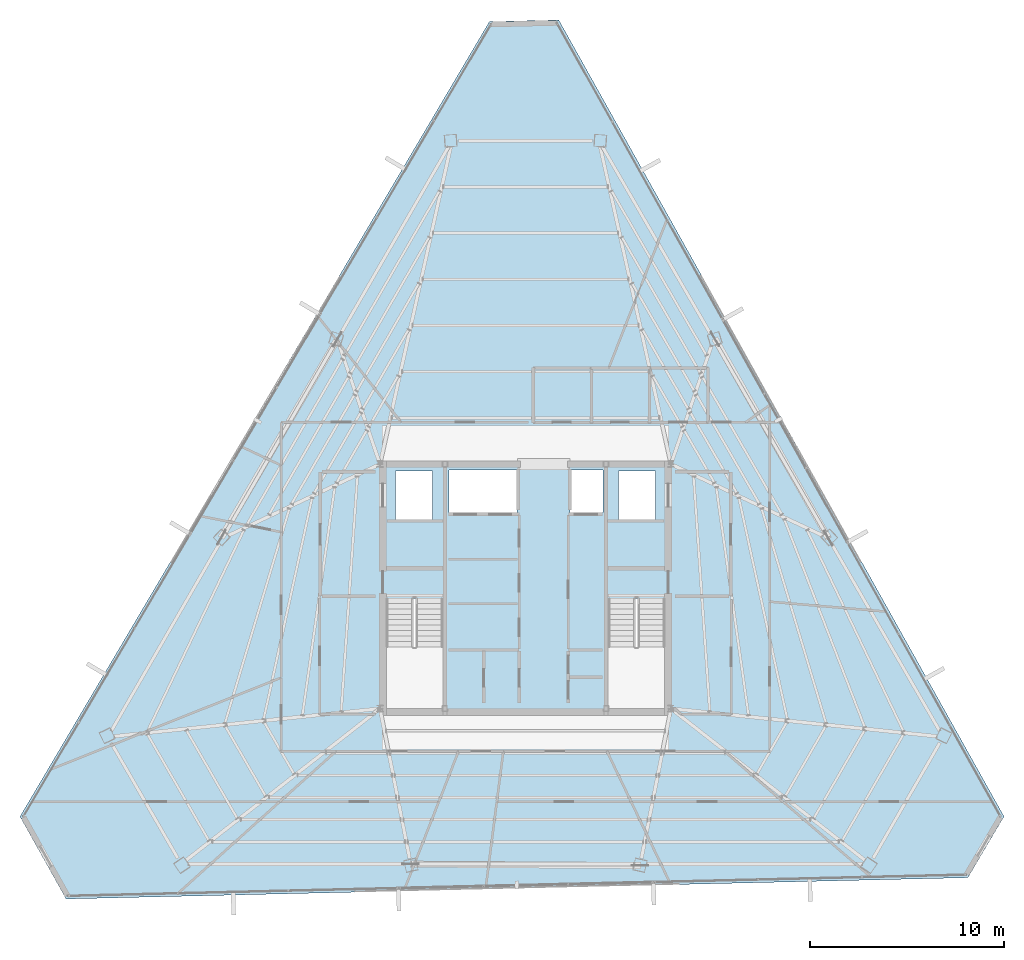
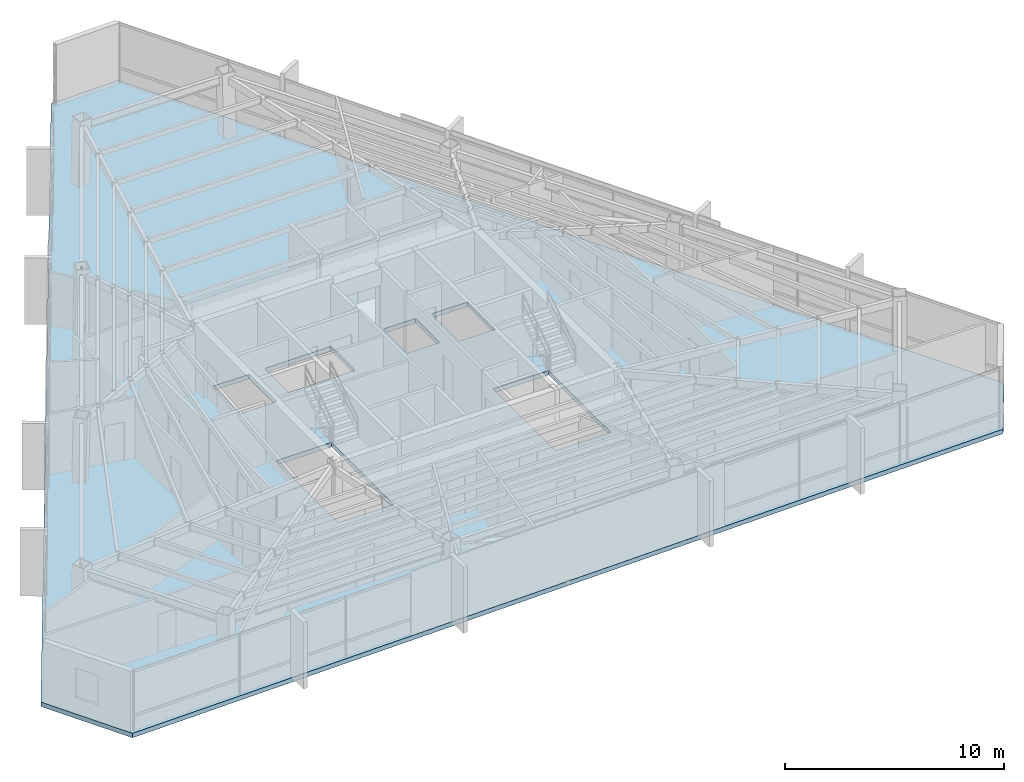
# One storey, part 36 of 47: 1 slab.
"""IFC4 building model written with IfcOpenShell, lengths in metres."""

from ifc_helpers import new_model, si_unit, direction, frame, origin, place, context, subcontext, project, spatial, polyline, outline, extrude, material, layer, layer_set, type_object, element, save


model = new_model("IFC4")

# Units and contexts
model_context = context("Model", 3, precision=1e-05, world=origin(), true_north=direction((0.0, 1.0)))
body_context = subcontext(model_context, "Body", "Model", "MODEL_VIEW")
ifc_project = project(units=[si_unit("LENGTHUNIT", "METRE"), si_unit("AREAUNIT", "SQUARE_METRE"), si_unit("VOLUMEUNIT", "CUBIC_METRE"), si_unit("PLANEANGLEUNIT", "RADIAN"), si_unit("MASSUNIT", "GRAM", prefix="KILO")], contexts=[model_context])

# Site, building, storey
site_placement = place(None, origin())
site = spatial("IfcSite", under=ifc_project, at=site_placement, CompositionType="ELEMENT")
building_placement = place(site_placement, origin())
building = spatial("IfcBuilding", under=site, at=building_placement, Name="Caelisora Broadcast Tower", CompositionType="ELEMENT")
storey_placement = place(building_placement, frame((0.0, 0.0, 255.39990234375)))
storey = spatial("IfcBuildingStorey", under=building, at=storey_placement, Name="L67", CompositionType="ELEMENT", Elevation=255.39990234375)

# Slab
ifc_material = material(Name="Concrete 40 MPa (AS 3600 N40)", Category="concrete")
ifc_layer = layer(ifc_material, 0.25, Name="Concrete 40 MPa (AS 3600 N40)")
ifc_layer_set = layer_set([ifc_layer], Name="Concrete 40 MPa (AS 3600 N40)")
slab_type = type_object("IfcSlabType", Name="SL04", PredefinedType="FLOOR", material=ifc_layer_set)
slab_placement = place(storey_placement, frame((0.0, 0.0, -0.25)))
element("IfcSlab", 1, at=slab_placement, inside=storey, type_object=slab_type, Name="L67 suspended floor SL04", PredefinedType="FLOOR", context=body_context, shape_type="SweptSolid", body=[
    extrude(outline(polyline([(39.715087890625, 52.89697265625), (36.138916015625, 52.81201171875), (11.94189453125, 11.83203125), (14.31689453125, 7.5849609375), (60.806884765625, 8.68310546875), (62.66796875, 11.8359375), (39.715087890625, 52.89697265625)]), holes=[polyline([(30.820068359375, 17.39990234375), (33.739990234375, 17.39990234375), (33.739990234375, 23.080078125), (30.820068359375, 23.080078125), (30.820068359375, 17.39990234375)]), polyline([(42.260009765625, 17.39990234375), (45.179931640625, 17.39990234375), (45.179931640625, 23.080078125), (42.260009765625, 23.080078125), (42.260009765625, 17.39990234375)]), polyline([(42.800048828125, 27.14990234375), (44.699951171875, 27.14990234375), (44.699951171875, 29.64990234375), (42.800048828125, 29.64990234375), (42.800048828125, 27.14990234375)]), polyline([(40.300048828125, 27.5), (42.0, 27.5), (42.0, 29.699951171875), (40.300048828125, 29.699951171875), (40.300048828125, 27.5)]), polyline([(34.050048828125, 27.5), (37.550048828125, 27.5), (37.550048828125, 29.699951171875), (34.050048828125, 29.699951171875), (34.050048828125, 27.5)]), polyline([(31.300048828125, 27.14990234375), (33.199951171875, 27.14990234375), (33.199951171875, 29.64990234375), (31.300048828125, 29.64990234375), (31.300048828125, 27.14990234375)])]), origin(), (0.0, 0.0, 1.0), 0.25),
])

save(model, "model.ifc")
